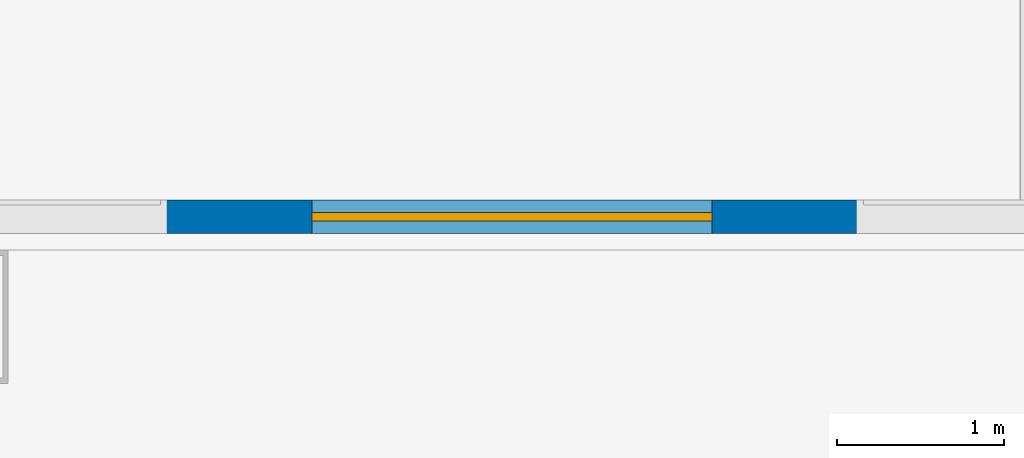
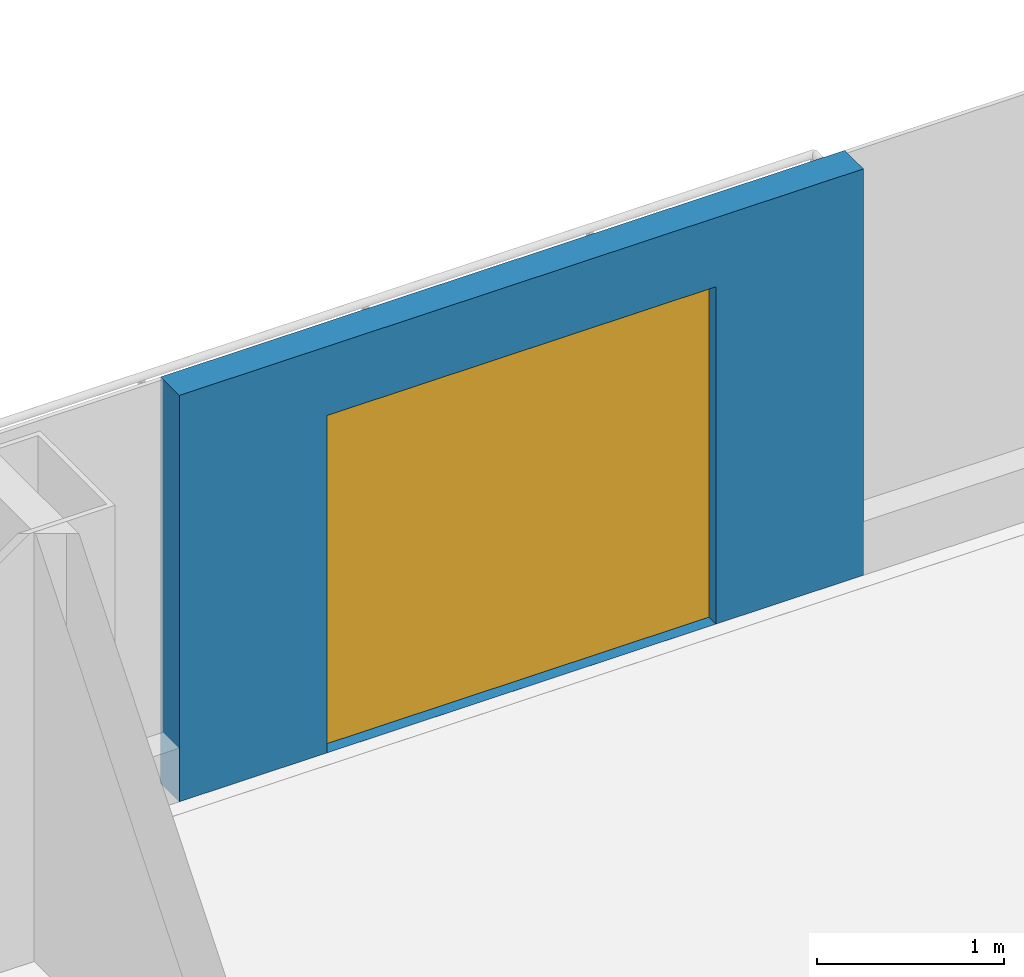
# One storey, part 19 of 34: 1 door, 1 wall, 1 opening, 1 element without a shape of its own.
"""IFC4 building model written with IfcOpenShell, lengths in metres."""

from ifc_helpers import new_model, si_unit, direction, frame, frame_2d, origin, place, context, subcontext, project, spatial, rectangle, extrude, material, layer, layer_set, type_object, element, fill, aggregate, save


model = new_model("IFC4")

# Units and contexts
model_context = context("Model", 3, precision=1e-05, world=origin(), true_north=direction((0.0, 1.0)))
body_context = subcontext(model_context, "Body", "Model", "MODEL_VIEW")
ifc_project = project(units=[si_unit("LENGTHUNIT", "METRE"), si_unit("AREAUNIT", "SQUARE_METRE"), si_unit("VOLUMEUNIT", "CUBIC_METRE"), si_unit("PLANEANGLEUNIT", "RADIAN"), si_unit("MASSUNIT", "GRAM", prefix="KILO")], contexts=[model_context])

# Site, building, storey
site_placement = place(None, origin())
site = spatial("IfcSite", under=ifc_project, at=site_placement, CompositionType="ELEMENT")
building_placement = place(site_placement, origin())
building = spatial("IfcBuilding", under=site, at=building_placement, Name="Hakoniwa Tower and Hamabe Station Hall", CompositionType="ELEMENT")
storey_placement = place(building_placement, frame((0.0, 0.0, 107.39990234375)))
storey = spatial("IfcBuildingStorey", under=building, at=storey_placement, Name="L30", CompositionType="ELEMENT", Elevation=107.39990234375)

# Curtain wall, wall, opening, door
ifc_material_1 = material(Name="Dark low-e laminated glass", Category="glass")
ifc_layer_1 = layer(ifc_material_1, 0.199951171875)
ifc_layer_set_1 = layer_set([ifc_layer_1], Name="CW-1 UNITISED GUEST")
curtain_wall_type = type_object("IfcCurtainWallType", Name="CW-1 UNITISED GUEST", PredefinedType="NOTDEFINED", material=ifc_layer_set_1)
curtain_wall_placement = place(storey_placement, origin())
curtain_wall = element("IfcCurtainWall", 1, at=curtain_wall_placement, inside=storey, type_object=curtain_wall_type, Name="CW-1 curtain wall", PredefinedType="NOTDEFINED")
ifc_material_2 = material(Name="Dark glass-faced aluminium panel", Category="aluminium")
ifc_layer_2 = layer(ifc_material_2, 0.199951171875)
ifc_layer_set_2 = layer_set([ifc_layer_2], Name="DOOR BAY WALL")
wall_type = type_object("IfcWallType", Name="DOOR BAY WALL", PredefinedType="NOTDEFINED", material=ifc_layer_set_2)
wall_placement = place(storey_placement, frame((39.135009765625, 23.449951171875, 0.0), z_axis=(0.0, 0.0, 1.0), x_axis=(-1.0, 0.0, 0.0)))
wall = element("IfcWall", 2, at=wall_placement, type_object=wall_type, Name="Door bay wall", PredefinedType="NOTDEFINED", context=body_context, shape_type="SweptSolid", body=[
    extrude(rectangle(XDim=4.219970703125, YDim=0.199951171875, at=frame_2d((2.10986328125, 0.0))), origin(), (0.0, 0.0, 1.0), 2.650146484375),
])
opening_placement = place(wall_placement, frame((0.909912109375, 0.0, 0.0)))
opening = element("IfcOpeningElement", 3, at=opening_placement, cuts=wall, Name="Opening BD-N03-6", PredefinedType="OPENING", context=body_context, shape_type="SweptSolid", body=[
    extrude(rectangle(XDim=2.39990234375, YDim=2.199951171875, at=frame_2d((1.199951171875, 1.10009765625))), frame((0.0, 0.10986328125, 0.0), z_axis=(0.0, -1.0, 0.0), x_axis=(1.0, 0.0, 0.0)), (0.0, 0.0, 1.0), 0.219970703125),
])
ifc_material_3 = material(Name="Dark low-e laminated glass", Category="glass")
door_type = type_object("IfcDoorType", Name="BALCONY SLIDING DOOR 2400X2200", OperationType="SLIDING_TO_LEFT", PredefinedType="DOOR", material=ifc_material_3)
door_placement = place(opening_placement, frame((2.39990234375, 0.0, 0.0), z_axis=(0.0, 0.0, 1.0), x_axis=(-1.0, 0.0, 0.0)))
door = element("IfcDoor", 4, at=door_placement, inside=storey, type_object=door_type, Name="Balcony sliding door", OperationType="SLIDING_TO_LEFT", OverallHeight=2.199951171875, OverallWidth=2.39990234375, PredefinedType="DOOR", context=body_context, shape_type="SweptSolid", body=[
    extrude(rectangle(XDim=2.39990234375, YDim=2.199951171875, at=frame_2d((1.199951171875, 1.10009765625))), frame((0.0, 0.02490234375, 0.0), z_axis=(0.0, -1.0, 0.0), x_axis=(1.0, 0.0, 0.0)), (0.0, 0.0, 1.0), 0.050048828125),
])
fill(opening, door)
aggregate(curtain_wall, [wall])

save(model, "model.ifc")
